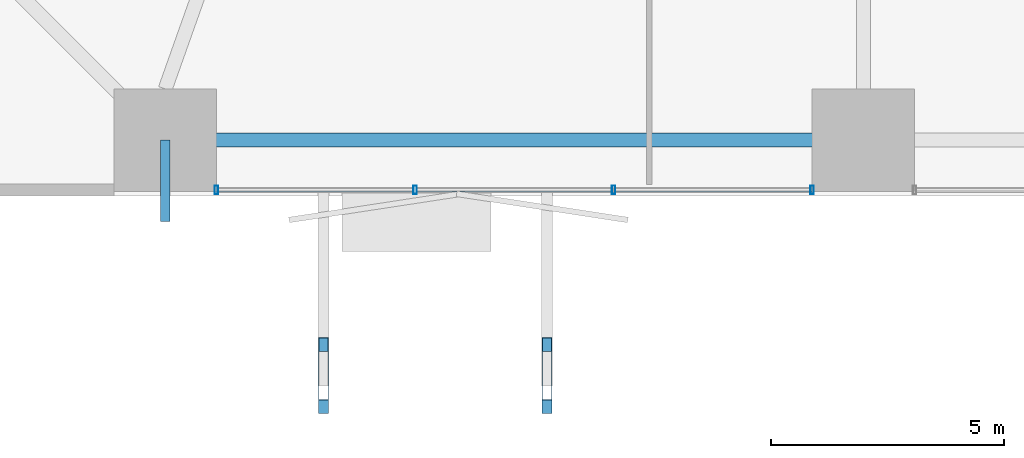
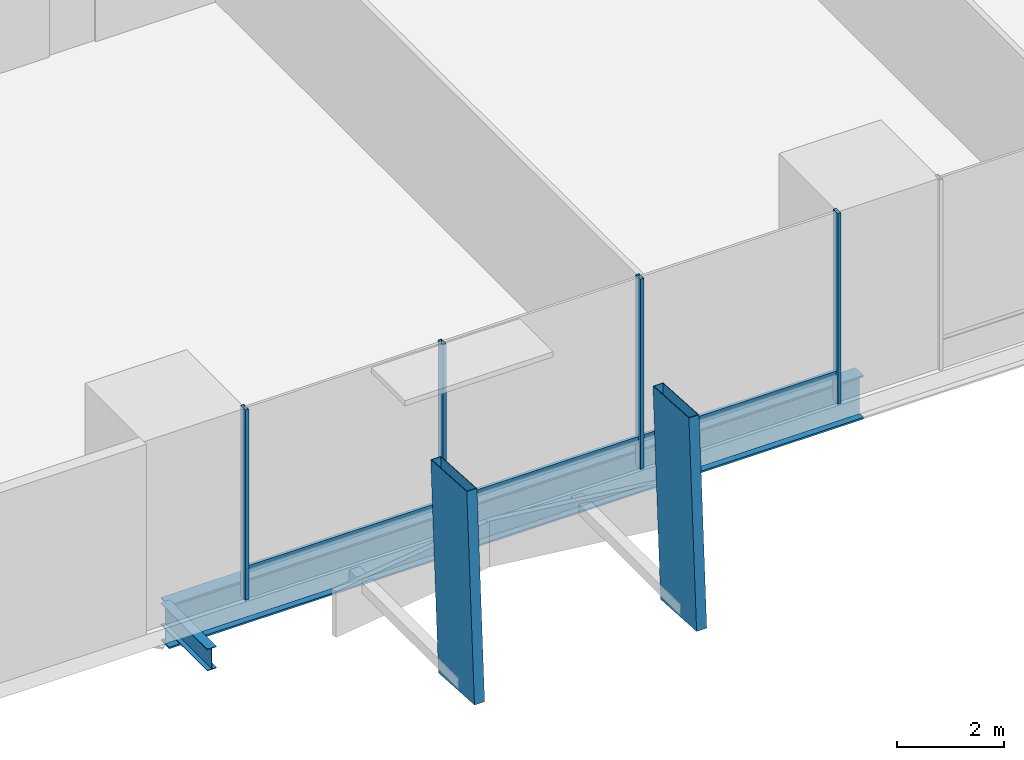
# One storey, part 2 of 24: 9 members, 2 beams, 1 element without a shape of its own.
"""IFC4 building model written with IfcOpenShell, lengths in metres."""

from ifc_helpers import new_model, si_unit, direction, frame, origin, origin_2d, place, context, subcontext, project, spatial, hollow_rectangle, i_section, extrude, material, layer, layer_set, material_profile, profile_set, type_object, element, aggregate, save


model = new_model("IFC4")

# Units and contexts
model_context = context("Model", 3, precision=1e-05, world=origin(), true_north=direction((0.0, 1.0)))
body_context = subcontext(model_context, "Body", "Model", "MODEL_VIEW")
ifc_project = project(units=[si_unit("LENGTHUNIT", "METRE"), si_unit("AREAUNIT", "SQUARE_METRE"), si_unit("VOLUMEUNIT", "CUBIC_METRE"), si_unit("PLANEANGLEUNIT", "RADIAN"), si_unit("MASSUNIT", "GRAM", prefix="KILO")], contexts=[model_context])

# Site, building, storey
site_placement = place(None, origin())
site = spatial("IfcSite", under=ifc_project, at=site_placement, CompositionType="ELEMENT")
building_placement = place(site_placement, origin())
building = spatial("IfcBuilding", under=site, at=building_placement, Name="Belovzor Exchange Tower", CompositionType="ELEMENT")
storey_placement = place(building_placement, frame((0.0, 0.0, 19.199951171875)))
storey = spatial("IfcBuildingStorey", under=building, at=storey_placement, Name="L04", CompositionType="ELEMENT", Elevation=19.199951171875)

# Members
ifc_material_1 = material(Name="Extruded Architectural Terracotta on Steel S355 Carrier", Category="masonry")
ifc_material_profile_1 = material_profile(ifc_material_1, hollow_rectangle(XDim=0.219970703125, YDim=1.35009765625, WallThickness=0.013916015625, at=origin_2d()))
ifc_profile_set_1 = profile_set([ifc_material_profile_1], Name="Extruded Architectural Terracotta on Steel S355 Carrier")
member_type_1 = type_object("IfcMemberType", Name="Base Arc Sweeping Terracotta Pylon Fin 1450", PredefinedType="USERDEFINED", material=ifc_profile_set_1)
for number, where, z_axis, x_axis, name in (
    (1, (17.199951171875, -3.402099609375, -0.349853515625), (0.0, 0.061387304598, 0.998114020959), (-1.0, 0.0, 0.0), "FIN-TC145 Terracotta Facade Fin L04 S1"),
    (2, (22.0, -3.402099609375, -0.349853515625), (0.0, 0.061387304598, 0.998114020959), (-1.0, 0.0, 0.0), "FIN-TC145 Terracotta Facade Fin L04 S2"),
):
    element("IfcMember", number, at=place(storey_placement, frame(where, z_axis=z_axis, x_axis=x_axis)), inside=storey, type_object=member_type_1, Name=name, ObjectType="FIN", PredefinedType="USERDEFINED", context=body_context, shape_type="SweptSolid", body=[
        extrude(hollow_rectangle(XDim=0.219970703125, YDim=1.35009765625, WallThickness=0.013916015625, at=origin_2d()), origin(), (0.0, 0.0, 1.0), 4.708740234375),
    ])

# Beams
ifc_material_2 = material(Name="Steel S355", Category="steel")
ifc_material_profile_2 = material_profile(ifc_material_2, i_section(OverallWidth=0.199951171875, OverallDepth=0.5, WebThickness=0.01025390625, FlangeThickness=0.01611328125, at=origin_2d()))
ifc_profile_set_2 = profile_set([ifc_material_profile_2], Name="Steel S355")
beam_type_1 = type_object("IfcBeamType", Name="Planted Balcony Cantilever Beam IPE 500", PredefinedType="BEAM", material=ifc_profile_set_2)
beam_1_placement = place(storey_placement, frame((13.800048828125, 1.800048828125, -0.599853515625), z_axis=(0.0, -1.0, 0.0), x_axis=(1.0, 0.0, 0.0)))
element("IfcBeam", 3, at=beam_1_placement, inside=storey, type_object=beam_type_1, Name="BC-500 Planted Balcony Cantilever Beam IPE 500", PredefinedType="BEAM", context=body_context, shape_type="SweptSolid", body=[
    extrude(i_section(OverallWidth=0.199951171875, OverallDepth=0.5, WebThickness=0.01025390625, FlangeThickness=0.01611328125, at=origin_2d()), origin(), (0.0, 0.0, 1.0), 1.75),
])
ifc_material_3 = material(Name="Steel S460", Category="steel")
ifc_material_profile_3 = material_profile(ifc_material_3, i_section(OverallWidth=0.300048828125, OverallDepth=1.0, WebThickness=0.02099609375, FlangeThickness=0.0400390625, at=origin_2d()))
ifc_profile_set_3 = profile_set([ifc_material_profile_3], Name="Steel S460")
beam_type_2 = type_object("IfcBeamType", Name="Podium Exchange Hall Ring Girder HEM 1000", PredefinedType="BEAM", material=ifc_profile_set_3)
beam_2_placement = place(storey_placement, frame((13.800048828125, 1.800048828125, -0.849853515625), z_axis=(1.0, 0.0, 0.0), x_axis=(0.0, 1.0, 0.0)))
element("IfcBeam", 4, at=beam_2_placement, inside=storey, type_object=beam_type_2, Name="PG-1 Podium Exchange Hall Ring Girder HEM 1000", PredefinedType="BEAM", context=body_context, shape_type="SweptSolid", body=[
    extrude(i_section(OverallWidth=0.300048828125, OverallDepth=1.0, WebThickness=0.02099609375, FlangeThickness=0.0400390625, at=origin_2d()), origin(), (0.0, 0.0, 1.0), 15.0),
])

# Curtain wall, members
ifc_material_4 = material(Name="Anodised Aluminium Framing", Category="aluminium")
ifc_layer = layer(ifc_material_4, 0.2099609375)
ifc_layer_set = layer_set([ifc_layer], Name="Anodised Aluminium Framing")
curtain_wall_type = type_object("IfcCurtainWallType", Name="Double-Height Concourse & Gallery Curtain Wall", PredefinedType="NOTDEFINED", material=ifc_layer_set)
curtain_wall_placement = place(storey_placement, origin())
curtain_wall = element("IfcCurtainWall", 5, at=curtain_wall_placement, inside=storey, type_object=curtain_wall_type, Name="CW2 Double-Height Concourse & Gallery Curtain Wall L04", PredefinedType="NOTDEFINED")
ifc_material_5 = material(Name="Steel S355", Category="steel")
ifc_material_profile_4 = material_profile(ifc_material_5, hollow_rectangle(XDim=0.074951171875, YDim=0.179931640625, WallThickness=0.0048828125, at=origin_2d()))
ifc_profile_set_4 = profile_set([ifc_material_profile_4], Name="Steel S355")
member_type_2 = type_object("IfcMemberType", Name="Thermally Broken Curtain Wall Mullion 180x75", PredefinedType="MULLION", material=ifc_profile_set_4)
member_1_placement = place(storey_placement, frame((27.699951171875, 0.72998046875, 0.0), z_axis=(0.0, 0.0, 1.0), x_axis=(-1.0, 0.0, 0.0)))
member_1 = element("IfcMember", 6, at=member_1_placement, type_object=member_type_2, Name="CW-M180 Curtain Wall Mullion 1", PredefinedType="MULLION", context=body_context, shape_type="SweptSolid", body=[
    extrude(hollow_rectangle(XDim=0.074951171875, YDim=0.179931640625, WallThickness=0.0048828125, at=origin_2d()), origin(), (0.0, 0.0, 1.0), 4.35009765625),
])
member_2_placement = place(storey_placement, frame((23.43310546875, 0.72998046875, 0.0), z_axis=(0.0, 0.0, 1.0), x_axis=(-1.0, 0.0, 0.0)))
member_2 = element("IfcMember", 7, at=member_2_placement, type_object=member_type_2, Name="CW-M180 Curtain Wall Mullion 2", PredefinedType="MULLION", context=body_context, shape_type="SweptSolid", body=[
    extrude(hollow_rectangle(XDim=0.074951171875, YDim=0.179931640625, WallThickness=0.0048828125, at=origin_2d()), origin(), (0.0, 0.0, 1.0), 4.35009765625),
])
member_3_placement = place(storey_placement, frame((19.1669921875, 0.72998046875, 0.0), z_axis=(0.0, 0.0, 1.0), x_axis=(-1.0, 0.0, 0.0)))
member_3 = element("IfcMember", 8, at=member_3_placement, type_object=member_type_2, Name="CW-M180 Curtain Wall Mullion 3", PredefinedType="MULLION", context=body_context, shape_type="SweptSolid", body=[
    extrude(hollow_rectangle(XDim=0.074951171875, YDim=0.179931640625, WallThickness=0.0048828125, at=origin_2d()), origin(), (0.0, 0.0, 1.0), 4.35009765625),
])
member_4_placement = place(storey_placement, frame((14.89990234375, 0.72998046875, 0.0), z_axis=(0.0, 0.0, 1.0), x_axis=(-1.0, 0.0, 0.0)))
member_4 = element("IfcMember", 9, at=member_4_placement, type_object=member_type_2, Name="CW-M180 Curtain Wall Mullion 4", PredefinedType="MULLION", context=body_context, shape_type="SweptSolid", body=[
    extrude(hollow_rectangle(XDim=0.074951171875, YDim=0.179931640625, WallThickness=0.0048828125, at=origin_2d()), origin(), (0.0, 0.0, 1.0), 4.35009765625),
])
ifc_material_6 = material(Name="Steel S355", Category="steel")
ifc_material_profile_5 = material_profile(ifc_material_6, hollow_rectangle(XDim=0.06005859375, YDim=0.14990234375, WallThickness=0.00390625, at=origin_2d()))
ifc_profile_set_5 = profile_set([ifc_material_profile_5], Name="Steel S355")
member_type_3 = type_object("IfcMemberType", Name="Thermally Broken Curtain Wall Transom 150x60", PredefinedType="USERDEFINED", material=ifc_profile_set_5)
member_5_placement = place(storey_placement, frame((27.69189453125, 0.72998046875, 0.650146484375), z_axis=(-1.0, 0.0, 0.0), x_axis=(0.0, -1.0, 0.0)))
member_5 = element("IfcMember", 10, at=member_5_placement, type_object=member_type_3, Name="CW-T150 Curtain Wall Transom 1", ObjectType="TRANSOM", PredefinedType="USERDEFINED", context=body_context, shape_type="SweptSolid", body=[
    extrude(hollow_rectangle(XDim=0.06005859375, YDim=0.14990234375, WallThickness=0.00390625, at=origin_2d()), origin(), (0.0, 0.0, 1.0), 4.2509765625),
])
member_6_placement = place(storey_placement, frame((23.425048828125, 0.72998046875, 0.650146484375), z_axis=(-1.0, 0.0, 0.0), x_axis=(0.0, -1.0, 0.0)))
member_6 = element("IfcMember", 11, at=member_6_placement, type_object=member_type_3, Name="CW-T150 Curtain Wall Transom 2", ObjectType="TRANSOM", PredefinedType="USERDEFINED", context=body_context, shape_type="SweptSolid", body=[
    extrude(hollow_rectangle(XDim=0.06005859375, YDim=0.14990234375, WallThickness=0.00390625, at=origin_2d()), origin(), (0.0, 0.0, 1.0), 4.25),
])
member_7_placement = place(storey_placement, frame((19.158935546875, 0.72998046875, 0.650146484375), z_axis=(-1.0, 0.0, 0.0), x_axis=(0.0, -1.0, 0.0)))
member_7 = element("IfcMember", 12, at=member_7_placement, type_object=member_type_3, Name="CW-T150 Curtain Wall Transom 3", ObjectType="TRANSOM", PredefinedType="USERDEFINED", context=body_context, shape_type="SweptSolid", body=[
    extrude(hollow_rectangle(XDim=0.06005859375, YDim=0.14990234375, WallThickness=0.00390625, at=origin_2d()), origin(), (0.0, 0.0, 1.0), 4.2509765625),
])
aggregate(curtain_wall, [member_1, member_2, member_3, member_4, member_5, member_6, member_7])

save(model, "model.ifc")
